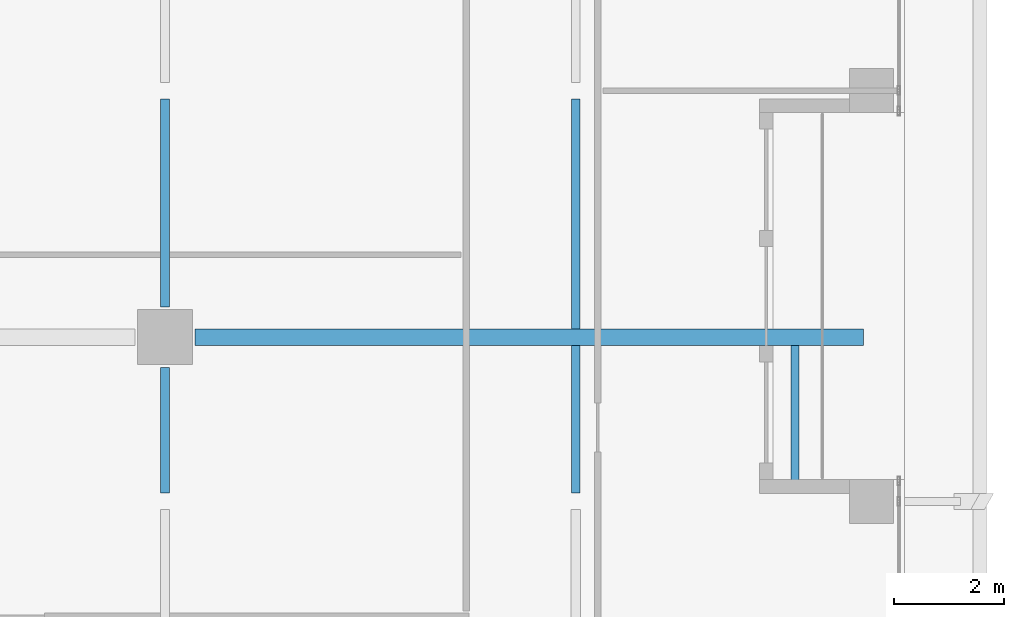
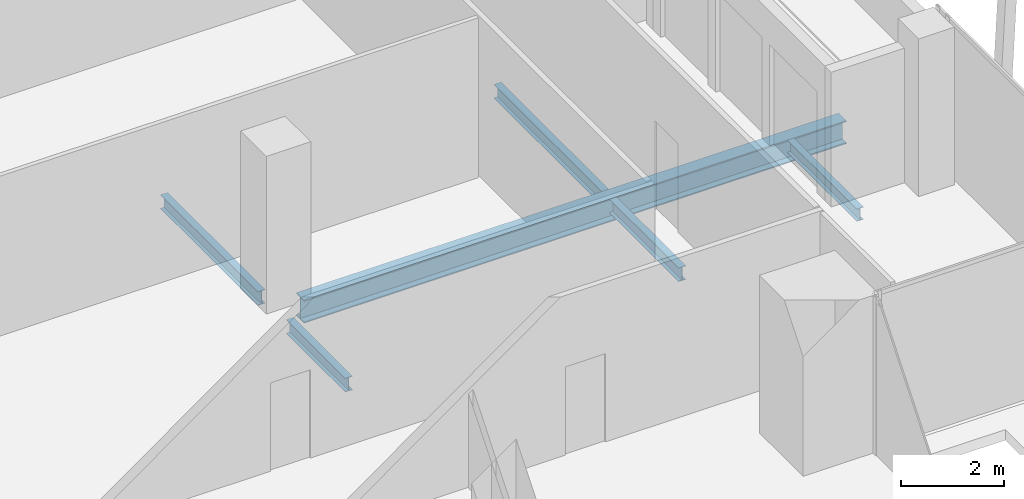
# One storey, part 9 of 32: 6 beams.
"""IFC4 building model written with IfcOpenShell, lengths in metres."""

from ifc_helpers import new_model, si_unit, direction, frame, origin, origin_2d, place, context, subcontext, project, spatial, i_section, extrude, source, transform, mapped, material, material_profile, profile_set, type_object, element, save


model = new_model("IFC4")

# Units and contexts
model_context = context("Model", 3, precision=1e-05, world=origin(), true_north=direction((0.0, 1.0)))
body_context = subcontext(model_context, "Body", "Model", "MODEL_VIEW")
ifc_project = project(units=[si_unit("LENGTHUNIT", "METRE"), si_unit("AREAUNIT", "SQUARE_METRE"), si_unit("VOLUMEUNIT", "CUBIC_METRE"), si_unit("PLANEANGLEUNIT", "RADIAN"), si_unit("MASSUNIT", "GRAM", prefix="KILO")], contexts=[model_context])

# Site, building, storey
site_placement = place(None, origin())
site = spatial("IfcSite", under=ifc_project, at=site_placement, CompositionType="ELEMENT")
building_placement = place(site_placement, origin())
building = spatial("IfcBuilding", under=site, at=building_placement, Name="Khomas Fold Tower", CompositionType="ELEMENT")
storey_placement = place(building_placement, frame((0.0, 0.0, 282.199951171875)))
storey = spatial("IfcBuildingStorey", under=building, at=storey_placement, Name="L63", CompositionType="ELEMENT", Elevation=282.199951171875)

# Beams
ifc_material_1 = material(Name="Steel S355", Category="steel")
ifc_material_profile_1 = material_profile(ifc_material_1, i_section(OverallWidth=0.159912109375, OverallDepth=0.330078125, WebThickness=0.007568359375, FlangeThickness=0.011474609375, at=origin_2d()), Name="IPE 330")
ifc_profile_set_1 = profile_set([ifc_material_profile_1], Name="Steel S355")
beam_type_1 = type_object("IfcBeamType", Name="IPE 330 beam JB1", PredefinedType="BEAM", material=ifc_profile_set_1)
shared_shape_1 = source(origin(), body_context, "Body", "SweptSolid", [
    extrude(i_section(OverallWidth=0.159912109375, OverallDepth=0.330078125, WebThickness=0.007568359375, FlangeThickness=0.011474609375, at=origin_2d()), origin(), (0.0, 0.0, 1.0), 2.69921875),
])
beam_1_placement = place(storey_placement, frame((42.0, 19.65087890625, -0.4150390625), z_axis=(0.0, 1.0, 0.0), x_axis=(-1.0, 0.0, 0.0)))
element("IfcBeam", 1, at=beam_1_placement, inside=storey, type_object=beam_type_1, Name="JB1", PredefinedType="BEAM", context=body_context, shape_type="MappedRepresentation", body=[
    mapped(shared_shape_1, transform((0.0, 0.0, 0.0))),
])
shared_shape_2 = source(origin(), body_context, "Body", "SweptSolid", [
    extrude(i_section(OverallWidth=0.159912109375, OverallDepth=0.330078125, WebThickness=0.007568359375, FlangeThickness=0.011474609375, at=origin_2d()), origin(), (0.0, 0.0, 1.0), 4.19921875),
])
beam_2_placement = place(storey_placement, frame((42.0, 22.64990234375, -0.4150390625), z_axis=(0.0, 1.0, 0.0), x_axis=(-1.0, 0.0, 0.0)))
element("IfcBeam", 2, at=beam_2_placement, inside=storey, type_object=beam_type_1, Name="JB1", PredefinedType="BEAM", context=body_context, shape_type="MappedRepresentation", body=[
    mapped(shared_shape_2, transform((0.0, 0.0, 0.0))),
])
ifc_material_2 = material(Name="Steel S355", Category="steel")
ifc_material_profile_2 = material_profile(ifc_material_2, i_section(OverallWidth=0.14990234375, OverallDepth=0.300048828125, WebThickness=0.007080078125, FlangeThickness=0.0107421875, at=origin_2d()), Name="IPE 300")
ifc_profile_set_2 = profile_set([ifc_material_profile_2], Name="Steel S355")
beam_type_2 = type_object("IfcBeamType", Name="IPE 300 beam BB2", PredefinedType="BEAM", material=ifc_profile_set_2)
shared_shape_3 = source(origin(), body_context, "Body", "SweptSolid", [
    extrude(i_section(OverallWidth=0.14990234375, OverallDepth=0.300048828125, WebThickness=0.007080078125, FlangeThickness=0.0107421875, at=origin_2d()), origin(), (0.0, 0.0, 1.0), 2.69921875),
])
beam_3_placement = place(storey_placement, frame((46.0, 19.65087890625, -0.39990234375), z_axis=(0.0, 1.0, 0.0), x_axis=(-1.0, 0.0, 0.0)))
element("IfcBeam", 3, at=beam_3_placement, inside=storey, type_object=beam_type_2, Name="BB2", PredefinedType="BEAM", context=body_context, shape_type="MappedRepresentation", body=[
    mapped(shared_shape_3, transform((0.0, 0.0, 0.0))),
])
ifc_material_3 = material(Name="Steel S355", Category="steel")
ifc_material_profile_3 = material_profile(ifc_material_3, i_section(OverallWidth=0.300048828125, OverallDepth=0.550048828125, WebThickness=0.014892578125, FlangeThickness=0.029052734375, at=origin_2d()), Name="HE 550 B")
ifc_profile_set_3 = profile_set([ifc_material_profile_3], Name="Steel S355")
beam_type_3 = type_object("IfcBeamType", Name="HE 550 B beam GB4", PredefinedType="BEAM", material=ifc_profile_set_3)
shared_shape_4 = source(origin(), body_context, "Body", "SweptSolid", [
    extrude(i_section(OverallWidth=0.300048828125, OverallDepth=0.550048828125, WebThickness=0.014892578125, FlangeThickness=0.029052734375, at=origin_2d()), origin(), (0.0, 0.0, 1.0), 12.199951171875),
])
beam_4_placement = place(storey_placement, frame((35.050048828125, 22.5, -0.52490234375), z_axis=(1.0, 0.0, 0.0), x_axis=(0.0, 1.0, 0.0)))
element("IfcBeam", 4, at=beam_4_placement, inside=storey, type_object=beam_type_3, Name="GB4", PredefinedType="BEAM", context=body_context, shape_type="MappedRepresentation", body=[
    mapped(shared_shape_4, transform((0.0, 0.0, 0.0))),
])
shared_shape_5 = source(origin(), body_context, "Body", "SweptSolid", [
    extrude(i_section(OverallWidth=0.159912109375, OverallDepth=0.330078125, WebThickness=0.007568359375, FlangeThickness=0.011474609375, at=origin_2d()), origin(), (0.0, 0.0, 1.0), 2.299072265625),
])
beam_5_placement = place(storey_placement, frame((34.5, 19.65087890625, -0.4150390625), z_axis=(0.0, 1.0, 0.0), x_axis=(-1.0, 0.0, 0.0)))
element("IfcBeam", 5, at=beam_5_placement, inside=storey, type_object=beam_type_1, Name="JB1", PredefinedType="BEAM", context=body_context, shape_type="MappedRepresentation", body=[
    mapped(shared_shape_5, transform((0.0, 0.0, 0.0))),
])
shared_shape_6 = source(origin(), body_context, "Body", "SweptSolid", [
    extrude(i_section(OverallWidth=0.159912109375, OverallDepth=0.330078125, WebThickness=0.007568359375, FlangeThickness=0.011474609375, at=origin_2d()), origin(), (0.0, 0.0, 1.0), 3.799072265625),
])
beam_6_placement = place(storey_placement, frame((34.5, 23.050048828125, -0.4150390625), z_axis=(0.0, 1.0, 0.0), x_axis=(-1.0, 0.0, 0.0)))
element("IfcBeam", 6, at=beam_6_placement, inside=storey, type_object=beam_type_1, Name="JB1", PredefinedType="BEAM", context=body_context, shape_type="MappedRepresentation", body=[
    mapped(shared_shape_6, transform((0.0, 0.0, 0.0))),
])

save(model, "model.ifc")
